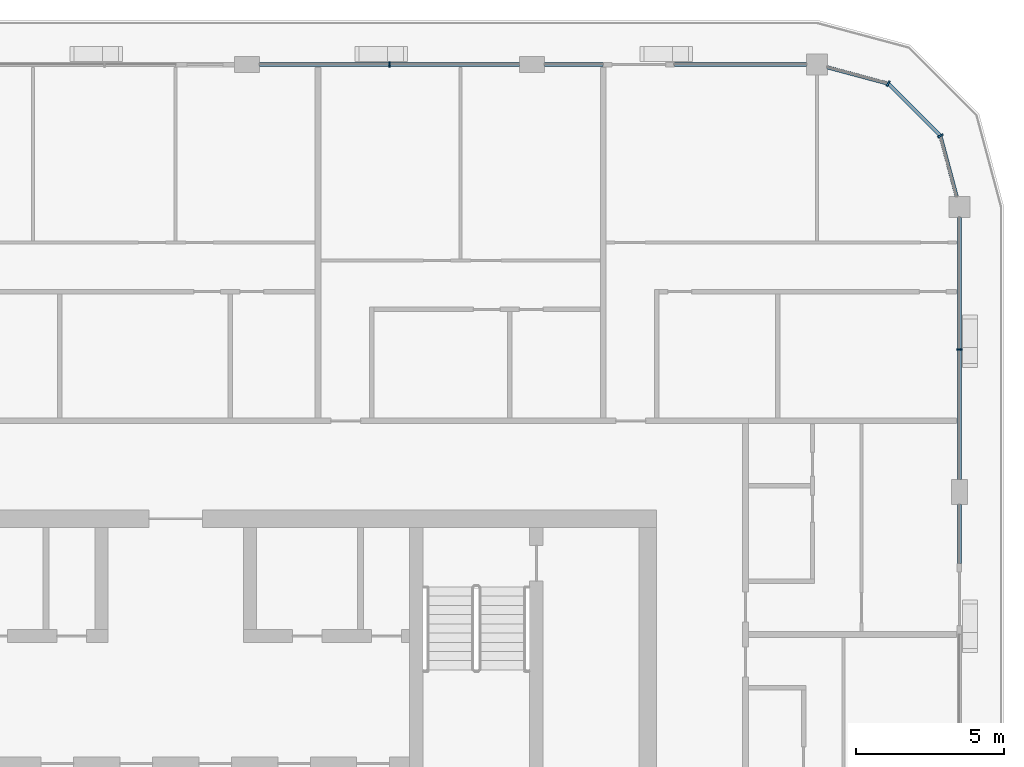
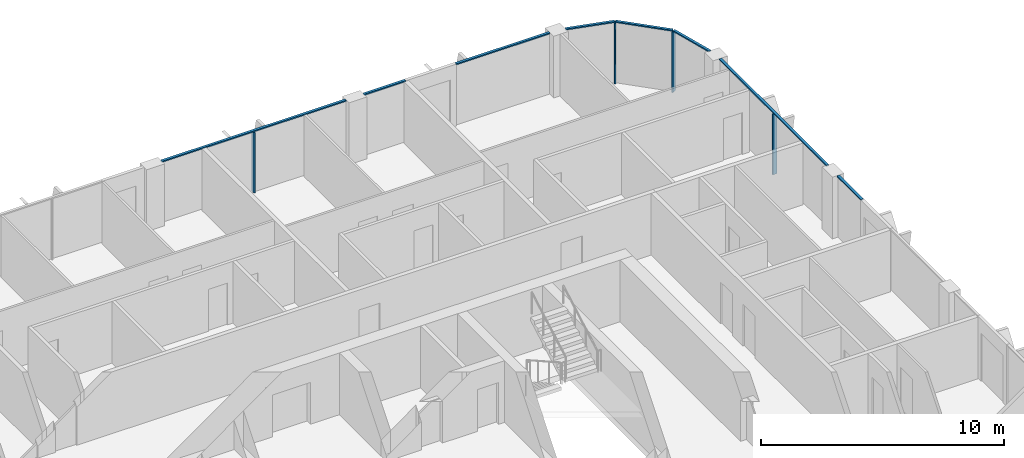
# One storey, part 6 of 22: 12 members, 5 elements without a shape of their own.
"""IFC4 building model written with IfcOpenShell, lengths in metres."""

from ifc_helpers import new_model, si_unit, direction, frame, origin, origin_2d, place, context, subcontext, project, spatial, rectangle, extrude, material, layer, layer_set, material_profile, profile_set, type_object, element, aggregate, save


model = new_model("IFC4")

# Units and contexts
model_context = context("Model", 3, precision=1e-05, world=origin(), true_north=direction((0.0, 1.0)))
body_context = subcontext(model_context, "Body", "Model", "MODEL_VIEW")
ifc_project = project(units=[si_unit("LENGTHUNIT", "METRE"), si_unit("AREAUNIT", "SQUARE_METRE"), si_unit("VOLUMEUNIT", "CUBIC_METRE"), si_unit("PLANEANGLEUNIT", "RADIAN"), si_unit("MASSUNIT", "GRAM", prefix="KILO")], contexts=[model_context])

# Site, building, storey
site_placement = place(None, origin())
site = spatial("IfcSite", under=ifc_project, at=site_placement, CompositionType="ELEMENT")
building_placement = place(site_placement, origin())
building = spatial("IfcBuilding", under=site, at=building_placement, Name="Madar Terraces", CompositionType="ELEMENT")
storey_placement = place(building_placement, frame((0.0, 0.0, 259.699951171875)))
storey = spatial("IfcBuildingStorey", under=building, at=storey_placement, Name="L68", CompositionType="ELEMENT", Elevation=259.699951171875)

# Curtain wall, member
ifc_material_1 = material(Name="Glass, ceramic frit dark grey, with black aluminium frame", Category="aluminium")
ifc_layer = layer(ifc_material_1, 0.199951171875)
ifc_layer_set = layer_set([ifc_layer], Name="Facade curtain wall, fritted glass")
curtain_wall_type = type_object("IfcCurtainWallType", Name="Facade curtain wall, fritted glass", PredefinedType="NOTDEFINED", material=ifc_layer_set)
curtain_wall_1_placement = place(storey_placement, origin())
curtain_wall_1 = element("IfcCurtainWall", 1, at=curtain_wall_1_placement, inside=storey, type_object=curtain_wall_type, Name="Outer skin curtain wall east bay 4", PredefinedType="NOTDEFINED")
ifc_material_2 = material(Name="Aluminium, black anodised", Category="aluminium")
ifc_material_profile_1 = material_profile(ifc_material_2, rectangle(XDim=0.199951171875, YDim=0.06005859375, at=origin_2d()), Name="Facade mullion 60x200")
ifc_profile_set_1 = profile_set([ifc_material_profile_1], Name="Aluminium, black anodised")
member_type_1 = type_object("IfcMemberType", Name="Facade mullion 60x200", PredefinedType="MULLION", material=ifc_profile_set_1)
member_1_placement = place(storey_placement, frame((57.60009765625, 43.199951171875, 0.0), z_axis=(0.0, 0.0, 1.0), x_axis=(-1.0, 0.0, 0.0)))
member_1 = element("IfcMember", 2, at=member_1_placement, type_object=member_type_1, Name="Mullion 1", PredefinedType="MULLION", context=body_context, shape_type="SweptSolid", body=[
    extrude(rectangle(XDim=0.199951171875, YDim=0.06005859375, at=origin_2d()), origin(), (0.0, 0.0, 1.0), 3.0400390625),
])

curtain_wall_2_placement = place(storey_placement, origin())
curtain_wall_2 = element("IfcCurtainWall", 3, at=curtain_wall_2_placement, inside=storey, type_object=curtain_wall_type, Name="Outer skin curtain wall north bay 2", PredefinedType="NOTDEFINED")
member_2_placement = place(storey_placement, frame((38.39990234375, 52.800048828125, 0.0), z_axis=(0.0, 0.0, 1.0), x_axis=(0.0, -1.0, 0.0)))
member_2 = element("IfcMember", 4, at=member_2_placement, type_object=member_type_1, Name="Mullion 1", PredefinedType="MULLION", context=body_context, shape_type="SweptSolid", body=[
    extrude(rectangle(XDim=0.199951171875, YDim=0.06005859375, at=origin_2d()), origin(), (0.0, 0.0, 1.0), 3.0400390625),
])

# Curtain wall, members
curtain_wall_3_placement = place(storey_placement, origin())
curtain_wall_3 = element("IfcCurtainWall", 5, at=curtain_wall_3_placement, inside=storey, type_object=curtain_wall_type, Name="Outer skin curtain wall north-east corner", PredefinedType="NOTDEFINED")
member_3_placement = place(storey_placement, frame((56.95703125, 50.39990234375, 0.0), z_axis=(0.0, 0.0, 1.0), x_axis=(-0.866025409797, -0.499999989586, 0.0)))
member_3 = element("IfcMember", 6, at=member_3_placement, type_object=member_type_1, Name="Mullion 1", PredefinedType="MULLION", context=body_context, shape_type="SweptSolid", body=[
    extrude(rectangle(XDim=0.199951171875, YDim=0.06005859375, at=origin_2d()), origin(), (0.0, 0.0, 1.0), 3.0400390625),
])
member_4_placement = place(storey_placement, frame((55.199951171875, 52.156982421875, 0.0), z_axis=(0.0, 0.0, 1.0), x_axis=(-0.499999989586, -0.866025409797, 0.0)))
member_4 = element("IfcMember", 7, at=member_4_placement, type_object=member_type_1, Name="Mullion 2", PredefinedType="MULLION", context=body_context, shape_type="SweptSolid", body=[
    extrude(rectangle(XDim=0.199951171875, YDim=0.06005859375, at=origin_2d()), origin(), (0.0, 0.0, 1.0), 3.0400390625),
])

# Curtain wall, member
curtain_wall_4_placement = place(storey_placement, origin())
curtain_wall_4 = element("IfcCurtainWall", 8, at=curtain_wall_4_placement, inside=storey, type_object=curtain_wall_type, Name="Outer skin curtain wall east bay 3", PredefinedType="NOTDEFINED")
ifc_material_3 = material(Name="Aluminium, black anodised", Category="aluminium")
ifc_material_profile_2 = material_profile(ifc_material_3, rectangle(XDim=0.1201171875, YDim=0.06005859375, at=origin_2d()), Name="Facade transom 60x120")
ifc_profile_set_2 = profile_set([ifc_material_profile_2], Name="Aluminium, black anodised")
member_type_2 = type_object("IfcMemberType", Name="Facade transom 60x120", PredefinedType="USERDEFINED", material=ifc_profile_set_2)
member_5_placement = place(storey_placement, frame((57.60009765625, 36.0, 3.070068359375), z_axis=(0.0, 1.0, 0.0), x_axis=(-1.0, 0.0, 0.0)))
member_5 = element("IfcMember", 9, at=member_5_placement, type_object=member_type_2, Name="Transom 2", ObjectType="TRANSOM", PredefinedType="USERDEFINED", context=body_context, shape_type="SweptSolid", body=[
    extrude(rectangle(XDim=0.1201171875, YDim=0.06005859375, at=origin_2d()), origin(), (0.0, 0.0, 1.0), 1.97509765625),
])
aggregate(curtain_wall_4, [member_5])

# Member
member_6_placement = place(storey_placement, frame((57.60009765625, 38.824951171875, 3.070068359375), z_axis=(0.0, 1.0, 0.0), x_axis=(-1.0, 0.0, 0.0)))
member_6 = element("IfcMember", 10, at=member_6_placement, type_object=member_type_2, Name="Transom 1", ObjectType="TRANSOM", PredefinedType="USERDEFINED", context=body_context, shape_type="SweptSolid", body=[
    extrude(rectangle(XDim=0.1201171875, YDim=0.06005859375, at=origin_2d()), origin(), (0.0, 0.0, 1.0), 8.824951171875),
])

aggregate(curtain_wall_1, [member_1, member_6])

# Curtain wall, members
curtain_wall_5_placement = place(storey_placement, origin())
curtain_wall_5 = element("IfcCurtainWall", 11, at=curtain_wall_5_placement, inside=storey, type_object=curtain_wall_type, Name="Outer skin curtain wall north bay 1", PredefinedType="NOTDEFINED")
member_7_placement = place(storey_placement, frame((52.449951171875, 52.800048828125, 3.070068359375), z_axis=(-1.0, 0.0, 0.0), x_axis=(0.0, -1.0, 0.0)))
member_7 = element("IfcMember", 12, at=member_7_placement, type_object=member_type_2, Name="Transom 1", ObjectType="TRANSOM", PredefinedType="USERDEFINED", context=body_context, shape_type="SweptSolid", body=[
    extrude(rectangle(XDim=0.1201171875, YDim=0.06005859375, at=origin_2d()), origin(), (0.0, 0.0, 1.0), 4.449951171875),
])
member_8_placement = place(storey_placement, frame((45.60009765625, 52.800048828125, 3.070068359375), z_axis=(-1.0, 0.0, 0.0), x_axis=(0.0, -1.0, 0.0)))
member_8 = element("IfcMember", 13, at=member_8_placement, type_object=member_type_2, Name="Transom 2", ObjectType="TRANSOM", PredefinedType="USERDEFINED", context=body_context, shape_type="SweptSolid", body=[
    extrude(rectangle(XDim=0.1201171875, YDim=0.06005859375, at=origin_2d()), origin(), (0.0, 0.0, 1.0), 1.97509765625),
])
aggregate(curtain_wall_5, [member_7, member_8])

# Member
member_9_placement = place(storey_placement, frame((42.77490234375, 52.800048828125, 3.070068359375), z_axis=(-1.0, 0.0, 0.0), x_axis=(0.0, -1.0, 0.0)))
member_9 = element("IfcMember", 14, at=member_9_placement, type_object=member_type_2, Name="Transom 1", ObjectType="TRANSOM", PredefinedType="USERDEFINED", context=body_context, shape_type="SweptSolid", body=[
    extrude(rectangle(XDim=0.1201171875, YDim=0.06005859375, at=origin_2d()), origin(), (0.0, 0.0, 1.0), 8.75),
])

aggregate(curtain_wall_2, [member_2, member_9])

member_10_placement = place(storey_placement, frame((57.506103515625, 48.35009765625, 3.070068359375), z_axis=(-0.258809963731, 0.965928259589, 0.0), x_axis=(-0.965928259589, -0.258809963731, 0.0)))
member_10 = element("IfcMember", 15, at=member_10_placement, type_object=member_type_2, Name="Transom 1", ObjectType="TRANSOM", PredefinedType="USERDEFINED", context=body_context, shape_type="SweptSolid", body=[
    extrude(rectangle(XDim=0.1201171875, YDim=0.06005859375, at=origin_2d()), origin(), (0.0, 0.0, 1.0), 2.09228515625),
])

member_11_placement = place(storey_placement, frame((56.935791015625, 50.421142578125, 3.070068359375), z_axis=(-0.707106781187, 0.707106781187, 0.0), x_axis=(-0.707106781187, -0.707106781187, 0.0)))
member_11 = element("IfcMember", 16, at=member_11_placement, type_object=member_type_2, Name="Transom 2", ObjectType="TRANSOM", PredefinedType="USERDEFINED", context=body_context, shape_type="SweptSolid", body=[
    extrude(rectangle(XDim=0.1201171875, YDim=0.06005859375, at=origin_2d()), origin(), (0.0, 0.0, 1.0), 2.4248046875),
])

member_12_placement = place(storey_placement, frame((55.171142578125, 52.164794921875, 3.070068359375), z_axis=(-0.965936074212, 0.258780796304, 0.0), x_axis=(-0.258780796304, -0.965936074212, 0.0)))
member_12 = element("IfcMember", 17, at=member_12_placement, type_object=member_type_2, Name="Transom 3", ObjectType="TRANSOM", PredefinedType="USERDEFINED", context=body_context, shape_type="SweptSolid", body=[
    extrude(rectangle(XDim=0.1201171875, YDim=0.06005859375, at=origin_2d()), origin(), (0.0, 0.0, 1.0), 2.092529296875),
])

aggregate(curtain_wall_3, [member_3, member_10, member_4, member_11, member_12])

save(model, "model.ifc")
